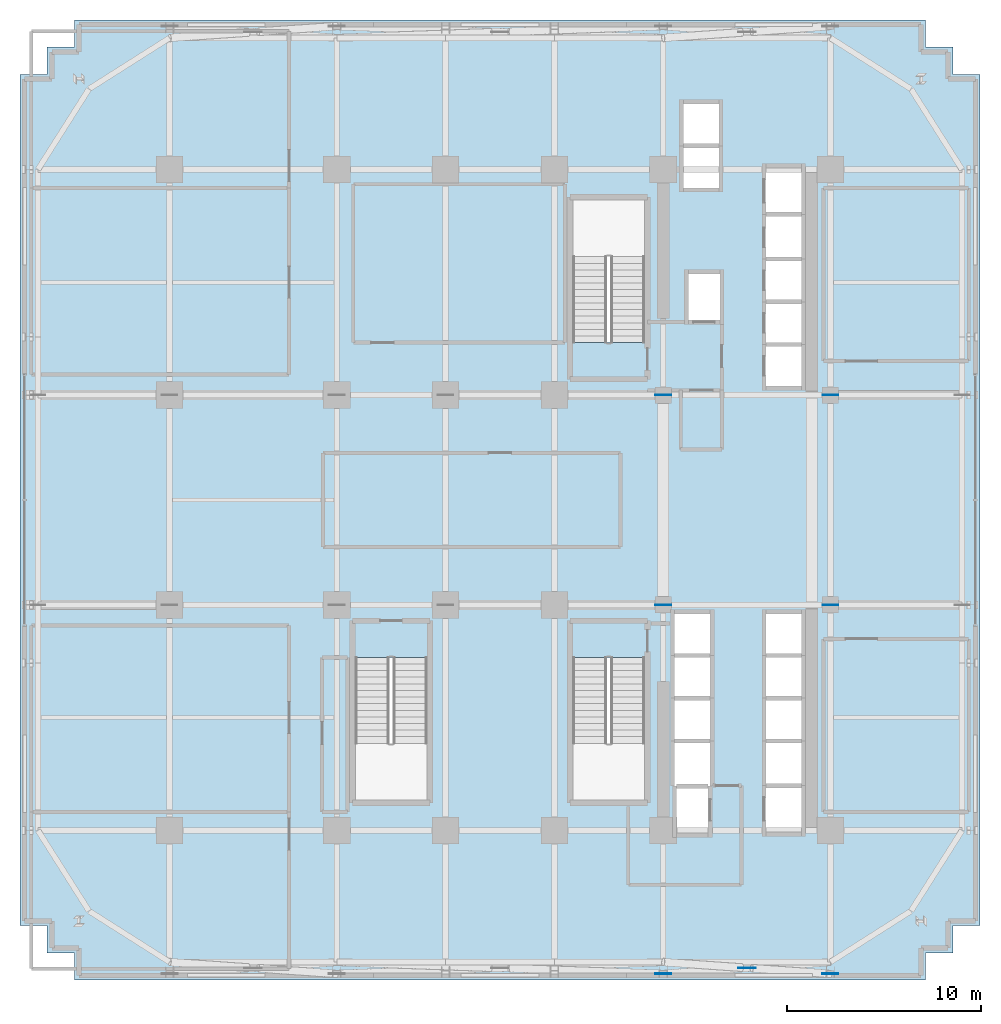
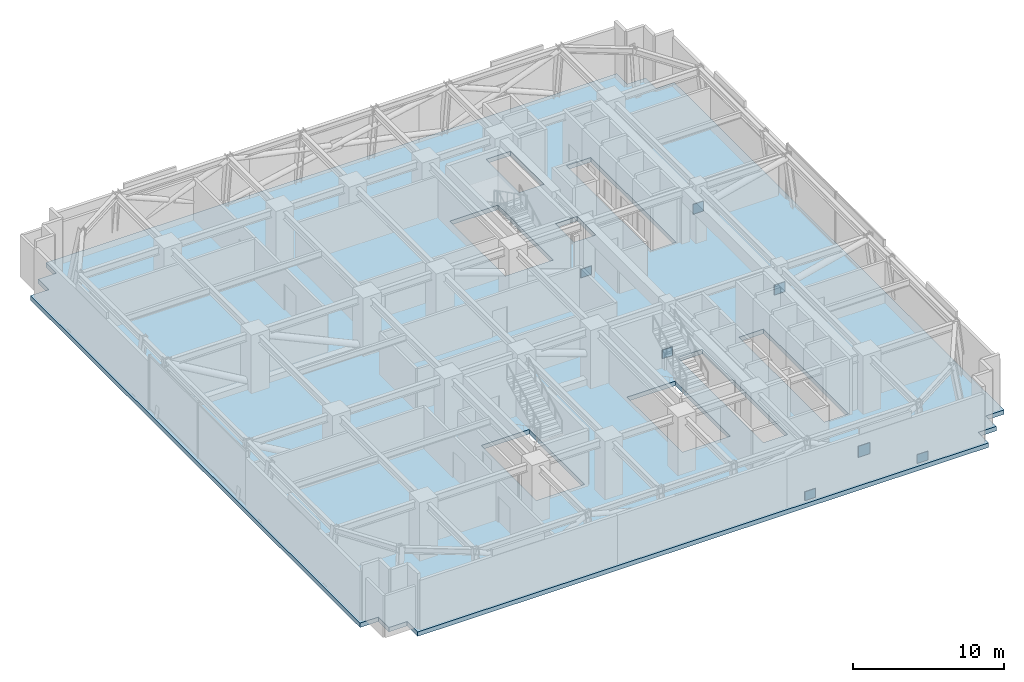
# One storey, part 8 of 17: 7 plates, 1 slab.
"""IFC4 building model written with IfcOpenShell, lengths in metres."""

from ifc_helpers import new_model, si_unit, direction, frame, origin, origin_2d, place, context, subcontext, project, spatial, polyline, rectangle, outline, extrude, source, transform, mapped, material, layer, layer_set, type_object, element, save


model = new_model("IFC4")

# Units and contexts
model_context = context("Model", 3, precision=1e-05, world=origin(), true_north=direction((0.0, 1.0)))
body_context = subcontext(model_context, "Body", "Model", "MODEL_VIEW")
ifc_project = project(units=[si_unit("LENGTHUNIT", "METRE"), si_unit("AREAUNIT", "SQUARE_METRE"), si_unit("VOLUMEUNIT", "CUBIC_METRE"), si_unit("PLANEANGLEUNIT", "RADIAN"), si_unit("MASSUNIT", "GRAM", prefix="KILO")], contexts=[model_context])

# Site, building, storey
site_placement = place(None, origin())
site = spatial("IfcSite", under=ifc_project, at=site_placement, CompositionType="ELEMENT")
building_placement = place(site_placement, origin())
building = spatial("IfcBuilding", under=site, at=building_placement, Name="Nahalor Promenade Grand Hotel", CompositionType="ELEMENT")
storey_placement = place(building_placement, frame((0.0, 0.0, 83.5)))
storey = spatial("IfcBuildingStorey", under=building, at=storey_placement, Name="L20", CompositionType="ELEMENT", Elevation=83.5)

# Slab
ifc_material_1 = material(Name="Concrete B-60 (C50/60)", Category="concrete")
ifc_layer_1 = layer(ifc_material_1, 0.360107421875)
ifc_layer_set_1 = layer_set([ifc_layer_1], Name="Concrete B-60 (C50/60)")
slab_type = type_object("IfcSlabType", Name="Slab-Refuge-360", PredefinedType="FLOOR", material=ifc_layer_set_1)
slab_placement = place(storey_placement, frame((0.0, 0.0, -0.360107421875)))
element("IfcSlab", 1, at=slab_placement, inside=storey, type_object=slab_type, Name="L20 Suspended Structural Floor Slab", PredefinedType="FLOOR", context=body_context, shape_type="SweptSolid", body=[
    extrude(outline(polyline([(-21.89990234375, -24.699951171875), (21.89990234375, -24.699951171875), (21.89990234375, -23.300048828125), (23.300048828125, -23.300048828125), (23.300048828125, -21.89990234375), (24.699951171875, -21.89990234375), (24.699951171875, 21.89990234375), (23.300048828125, 21.89990234375), (23.300048828125, 23.300048828125), (21.89990234375, 23.300048828125), (21.89990234375, 24.699951171875), (-21.89990234375, 24.699951171875), (-21.89990234375, 23.300048828125), (-23.300048828125, 23.300048828125), (-23.300048828125, 21.89990234375), (-24.699951171875, 21.89990234375), (-24.699951171875, -21.89990234375), (-23.300048828125, -21.89990234375), (-23.300048828125, -23.300048828125), (-21.89990234375, -23.300048828125), (-21.89990234375, -24.699951171875)]), holes=[polyline([(3.75, 8.10009765625), (7.449951171875, 8.10009765625), (7.449951171875, 15.449951171875), (3.75, 15.449951171875), (3.75, 8.10009765625)]), polyline([(3.75, -15.449951171875), (7.449951171875, -15.449951171875), (7.449951171875, -8.10009765625), (3.75, -8.10009765625), (3.75, -15.449951171875)]), polyline([(-7.449951171875, -15.449951171875), (-3.75, -15.449951171875), (-3.75, -8.10009765625), (-7.449951171875, -8.10009765625), (-7.449951171875, -15.449951171875)]), polyline([(13.659912109375, 5.81005859375), (15.5400390625, 5.81005859375), (15.5400390625, 17.139892578125), (13.659912109375, 17.139892578125), (13.659912109375, 5.81005859375)]), polyline([(13.659912109375, -17.139892578125), (15.5400390625, -17.139892578125), (15.5400390625, -5.81005859375), (13.659912109375, -5.81005859375), (13.659912109375, -17.139892578125)]), polyline([(8.9599609375, -17.18994140625), (10.840087890625, -17.18994140625), (10.840087890625, -5.81005859375), (8.9599609375, -5.81005859375), (8.9599609375, -17.18994140625)]), polyline([(9.409912109375, 16.010009765625), (11.2900390625, 16.010009765625), (11.2900390625, 20.43994140625), (9.409912109375, 20.43994140625), (9.409912109375, 16.010009765625)]), polyline([(9.659912109375, 9.2099609375), (11.340087890625, 9.2099609375), (11.340087890625, 11.68994140625), (9.659912109375, 11.68994140625), (9.659912109375, 9.2099609375)])]), origin(), (0.0, 0.0, 1.0), 0.360107421875),
])

# Plates
ifc_material_2 = material(Name="Steel S355J2", Category="steel")
ifc_layer_2 = layer(ifc_material_2, 0.035888671875)
ifc_layer_set_2 = layer_set([ifc_layer_2], Name="Steel S355J2")
plate_type_1 = type_object("IfcPlateType", Name="Plate-CrossGusset-36", PredefinedType="USERDEFINED", material=ifc_layer_set_2)
shared_shape_1 = source(origin(), body_context, "Body", "SweptSolid", [
    extrude(rectangle(XDim=0.89990234375, YDim=0.035888671875, at=origin_2d()), origin(), (0.0, 0.0, 1.0), 0.89990234375),
])
plate_placement = place(storey_placement, frame((12.699951171875, -24.080078125, 1.824951171875), z_axis=(0.0, 0.0, 1.0), x_axis=(1.0, 0.0, 0.0)))
element("IfcPlate", 2, at=plate_placement, inside=storey, type_object=plate_type_1, Name="PL-L20-BTX-S-2", ObjectType="GUSSET_PLATE", PredefinedType="USERDEFINED", context=body_context, shape_type="MappedRepresentation", body=[
    mapped(shared_shape_1, transform((0.0, 0.0, 0.0), scale=1.0)),
])
ifc_layer_3 = layer(ifc_material_2, 0.031982421875)
ifc_layer_set_3 = layer_set([ifc_layer_3], Name="Steel S355J2")
plate_type_2 = type_object("IfcPlateType", Name="Plate-Gusset-32", PredefinedType="USERDEFINED", material=ifc_layer_set_3)
shared_shape_2 = source(origin(), body_context, "Body", "SweptSolid", [
    extrude(rectangle(XDim=0.800048828125, YDim=0.031982421875, at=origin_2d()), origin(), (0.0, 0.0, 1.0), 0.800048828125),
])
for number, where, z_axis, x_axis, name in (
    (3, (8.39990234375, -5.39990234375, -0.10009765625), (0.0, 0.0, 1.0), (1.0, 0.0, 0.0), "PL-L20-OU-1-1"),
    (4, (17.0, -5.39990234375, 2.14990234375), (0.0, 0.0, 1.0), (1.0, 0.0, 0.0), "PL-L20-OU-1-6"),
    (5, (8.39990234375, 5.39990234375, -0.10009765625), (0.0, 0.0, 1.0), (1.0, 0.0, 0.0), "PL-L20-OU-2-1"),
    (6, (17.0, 5.39990234375, 2.14990234375), (0.0, 0.0, 1.0), (1.0, 0.0, 0.0), "PL-L20-OU-2-6"),
):
    element("IfcPlate", number, at=place(storey_placement, frame(where, z_axis=z_axis, x_axis=x_axis)), inside=storey, type_object=plate_type_2, Name=name, ObjectType="GUSSET_PLATE", PredefinedType="USERDEFINED", context=body_context, shape_type="MappedRepresentation", body=[
        mapped(shared_shape_2, transform((0.0, 0.0, 0.0), scale=1.0)),
    ])
ifc_layer_4 = layer(ifc_material_2, 0.031982421875)
ifc_layer_set_4 = layer_set([ifc_layer_4], Name="Steel S355J2")
plate_type_3 = type_object("IfcPlateType", Name="Plate-BeltGusset-32", PredefinedType="USERDEFINED", material=ifc_layer_set_4)
shared_shape_3 = source(origin(), body_context, "Body", "SweptSolid", [
    extrude(rectangle(XDim=0.820068359375, YDim=0.031982421875, at=origin_2d()), origin(), (0.0, 0.0, 1.0), 0.820068359375),
])
for number, where, z_axis, x_axis, name in (
    (7, (8.39990234375, -24.3798828125, -0.10986328125), (0.0, 0.0, 1.0), (1.0, 0.0, 0.0), "PL-L20-BELT-S-3"),
    (8, (17.0, -24.3798828125, -0.10986328125), (0.0, 0.0, 1.0), (1.0, 0.0, 0.0), "PL-L20-BELT-S-4"),
):
    element("IfcPlate", number, at=place(storey_placement, frame(where, z_axis=z_axis, x_axis=x_axis)), inside=storey, type_object=plate_type_3, Name=name, ObjectType="GUSSET_PLATE", PredefinedType="USERDEFINED", context=body_context, shape_type="MappedRepresentation", body=[
        mapped(shared_shape_3, transform((0.0, 0.0, 0.0), scale=1.0)),
    ])

save(model, "model.ifc")
